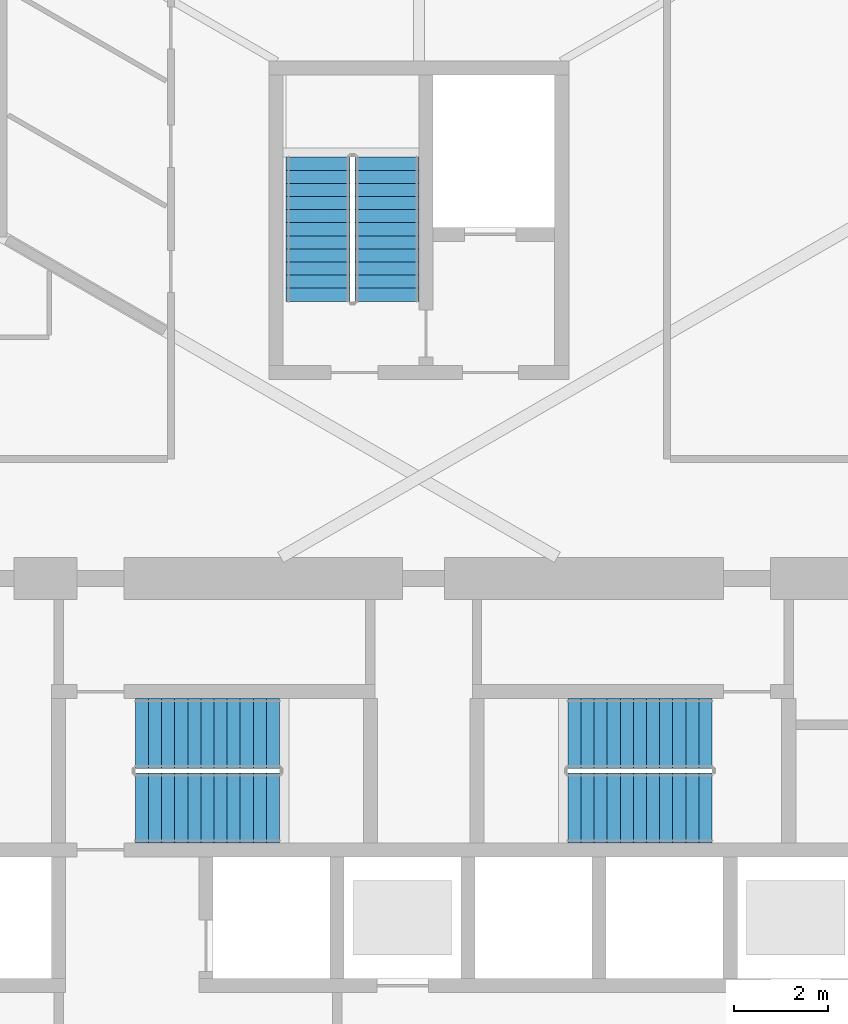
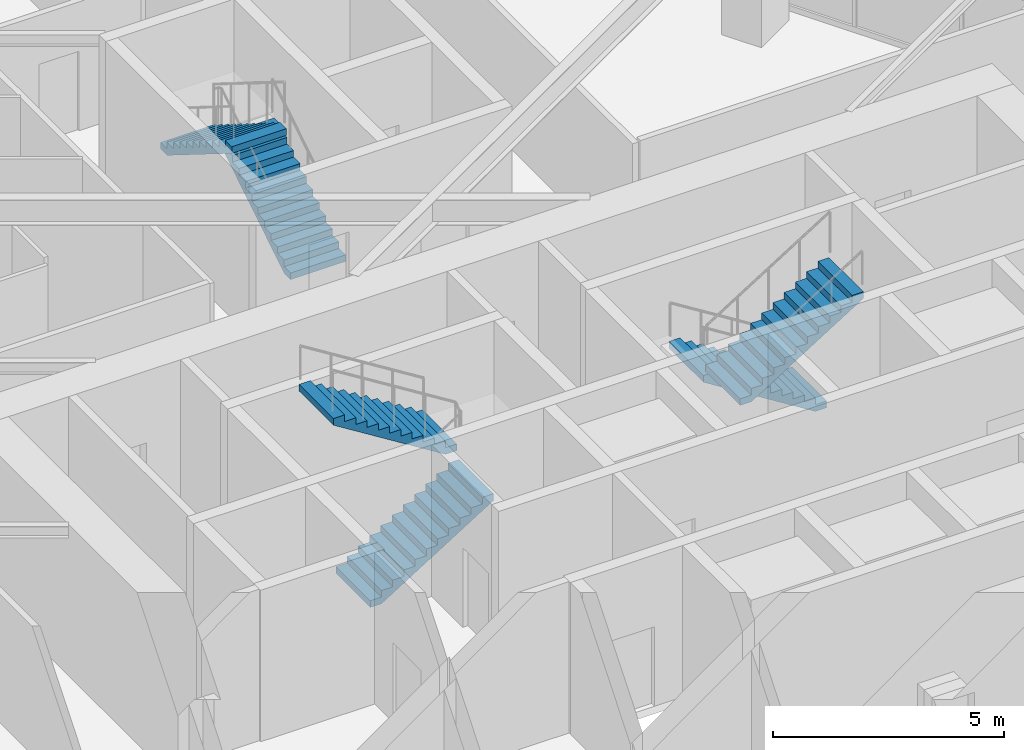
# One storey, part 20 of 22: 6 stair flights, 3 elements without a shape of their own.
"""IFC4 building model written with IfcOpenShell, lengths in metres."""

from ifc_helpers import new_model, si_unit, direction, frame, origin, place, context, subcontext, project, spatial, polyline, outline, extrude, material, type_object, element, aggregate, save


model = new_model("IFC4")

# Units and contexts
model_context = context("Model", 3, precision=1e-05, world=origin(), true_north=direction((0.0, 1.0)))
body_context = subcontext(model_context, "Body", "Model", "MODEL_VIEW")
ifc_project = project(units=[si_unit("LENGTHUNIT", "METRE"), si_unit("AREAUNIT", "SQUARE_METRE"), si_unit("VOLUMEUNIT", "CUBIC_METRE"), si_unit("PLANEANGLEUNIT", "RADIAN"), si_unit("MASSUNIT", "GRAM", prefix="KILO")], contexts=[model_context])

# Site, building, storey
site_placement = place(None, origin())
site = spatial("IfcSite", under=ifc_project, at=site_placement, CompositionType="ELEMENT")
building_placement = place(site_placement, origin())
building = spatial("IfcBuilding", under=site, at=building_placement, Name="Firuza Gate Tower and Library", CompositionType="ELEMENT")
storey_placement = place(building_placement, frame((0.0, 0.0, 128.199951171875)))
storey = spatial("IfcBuildingStorey", under=building, at=storey_placement, Name="L29", CompositionType="ELEMENT", Elevation=128.199951171875)

# Stair, stair flights
ifc_material_1 = material(Name="Concrete C35/45", Category="concrete")
stair_type_1 = type_object("IfcStairType", Name="Exit stair ST14", PredefinedType="HALF_TURN_STAIR", material=ifc_material_1)
placement = place(storey_placement, origin())
stair_1 = element("IfcStair", 1, at=placement, inside=storey, type_object=stair_type_1, Name="L29 Stair ST3", PredefinedType="HALF_TURN_STAIR")
ifc_material_2 = material(Name="Concrete C35/45", Category="concrete")
stair_flight_type_1 = type_object("IfcStairFlightType", Name="Stair flight 12 risers 175 width 1370", PredefinedType="STRAIGHT", material=ifc_material_2)
stair_flight_1_placement = place(storey_placement, frame((74.31494140625, 89.469970703125, 0.0), z_axis=(0.0, 0.0, 1.0), x_axis=(0.0, 1.0, 0.0)))
stair_flight_1 = element("IfcStairFlight", 2, at=stair_flight_1_placement, type_object=stair_flight_type_1, Name="ST3 flight 1", NumberOfRisers=12, NumberOfTreads=11, PredefinedType="STRAIGHT", RiserHeight=0.175, TreadLength=0.28, context=body_context, shape_type="SweptSolid", body=[
    extrude(outline(polyline([(0.0, 0.0), (0.0, 0.175048828125), (0.280029296875, 0.175048828125), (0.280029296875, 0.35009765625), (0.56005859375, 0.35009765625), (0.56005859375, 0.52490234375), (0.840087890625, 0.52490234375), (0.840087890625, 0.699951171875), (1.1201171875, 0.699951171875), (1.1201171875, 0.875), (1.39990234375, 0.875), (1.39990234375, 1.050048828125), (1.679931640625, 1.050048828125), (1.679931640625, 1.22509765625), (1.9599609375, 1.22509765625), (1.9599609375, 1.39990234375), (2.239990234375, 1.39990234375), (2.239990234375, 1.574951171875), (2.52001953125, 1.574951171875), (2.52001953125, 1.75), (2.800048828125, 1.75), (2.800048828125, 1.925048828125), (3.080078125, 1.925048828125), (3.080078125, 2.10009765625), (3.080078125, 1.748291015625), (0.28271484375, 0.0), (0.0, 0.0)])), frame((0.0, 0.68505859375, 0.0), z_axis=(0.0, -1.0, 0.0), x_axis=(1.0, 0.0, 0.0)), (0.0, 0.0, 1.0), 1.3701171875),
])
stair_flight_2_placement = place(storey_placement, frame((72.844970703125, 92.550048828125, 2.10009765625), z_axis=(0.0, 0.0, 1.0), x_axis=(0.0, -1.0, 0.0)))
stair_flight_2 = element("IfcStairFlight", 3, at=stair_flight_2_placement, type_object=stair_flight_type_1, Name="ST3 flight 2", NumberOfRisers=12, NumberOfTreads=11, PredefinedType="STRAIGHT", RiserHeight=0.175, TreadLength=0.28, context=body_context, shape_type="SweptSolid", body=[
    extrude(outline(polyline([(0.0, 0.0), (0.0, 0.175048828125), (0.280029296875, 0.175048828125), (0.280029296875, 0.35009765625), (0.56005859375, 0.35009765625), (0.56005859375, 0.52490234375), (0.840087890625, 0.52490234375), (0.840087890625, 0.699951171875), (1.1201171875, 0.699951171875), (1.1201171875, 0.875), (1.39990234375, 0.875), (1.39990234375, 1.050048828125), (1.679931640625, 1.050048828125), (1.679931640625, 1.22509765625), (1.9599609375, 1.22509765625), (1.9599609375, 1.39990234375), (2.239990234375, 1.39990234375), (2.239990234375, 1.574951171875), (2.52001953125, 1.574951171875), (2.52001953125, 1.75), (2.800048828125, 1.75), (2.800048828125, 1.925048828125), (3.080078125, 1.925048828125), (3.080078125, 2.10009765625), (3.080078125, 1.748291015625), (0.28271484375, 0.0), (0.0, 0.0)])), frame((0.0, 0.68505859375, 0.0), z_axis=(0.0, -1.0, 0.0), x_axis=(1.0, 0.0, 0.0)), (0.0, 0.0, 1.0), 1.3701171875),
])
aggregate(stair_1, [stair_flight_1, stair_flight_2])

ifc_material_3 = material(Name="Concrete C35/45", Category="concrete")
stair_type_2 = type_object("IfcStairType", Name="Exit stair ST5", PredefinedType="HALF_TURN_STAIR", material=ifc_material_3)
stair_2 = element("IfcStair", 4, at=placement, inside=storey, type_object=stair_type_2, Name="L29 Stair ST1", PredefinedType="HALF_TURN_STAIR")
ifc_material_4 = material(Name="Concrete C35/45", Category="concrete")
stair_flight_type_2 = type_object("IfcStairFlightType", Name="Stair flight 12 risers 175 width 1490", PredefinedType="STRAIGHT", material=ifc_material_4)
stair_flight_3_placement = place(storey_placement, frame((68.93994140625, 78.64501953125, 0.0), z_axis=(0.0, 0.0, 1.0), x_axis=(1.0, 0.0, 0.0)))
stair_flight_3 = element("IfcStairFlight", 5, at=stair_flight_3_placement, type_object=stair_flight_type_2, Name="ST1 flight 1", NumberOfRisers=12, NumberOfTreads=11, PredefinedType="STRAIGHT", RiserHeight=0.175, TreadLength=0.28, context=body_context, shape_type="SweptSolid", body=[
    extrude(outline(polyline([(0.0, 0.0), (0.0, 0.175048828125), (0.280029296875, 0.175048828125), (0.280029296875, 0.35009765625), (0.56005859375, 0.35009765625), (0.56005859375, 0.52490234375), (0.840087890625, 0.52490234375), (0.840087890625, 0.699951171875), (1.1201171875, 0.699951171875), (1.1201171875, 0.875), (1.39990234375, 0.875), (1.39990234375, 1.050048828125), (1.679931640625, 1.050048828125), (1.679931640625, 1.22509765625), (1.9599609375, 1.22509765625), (1.9599609375, 1.39990234375), (2.239990234375, 1.39990234375), (2.239990234375, 1.574951171875), (2.52001953125, 1.574951171875), (2.52001953125, 1.75), (2.800048828125, 1.75), (2.800048828125, 1.925048828125), (3.080078125, 1.925048828125), (3.080078125, 2.10009765625), (3.080078125, 1.748291015625), (0.28271484375, 0.0), (0.0, 0.0)])), frame((0.0, 0.7451171875, 0.0), z_axis=(0.0, -1.0, 0.0), x_axis=(1.0, 0.0, 0.0)), (0.0, 0.0, 1.0), 1.489990234375),
])
stair_flight_4_placement = place(storey_placement, frame((72.02001953125, 80.235107421875, 2.10009765625), z_axis=(0.0, 0.0, 1.0), x_axis=(-1.0, 0.0, 0.0)))
stair_flight_4 = element("IfcStairFlight", 6, at=stair_flight_4_placement, type_object=stair_flight_type_2, Name="ST1 flight 2", NumberOfRisers=12, NumberOfTreads=11, PredefinedType="STRAIGHT", RiserHeight=0.175, TreadLength=0.28, context=body_context, shape_type="SweptSolid", body=[
    extrude(outline(polyline([(0.0, 0.0), (0.0, 0.175048828125), (0.280029296875, 0.175048828125), (0.280029296875, 0.35009765625), (0.56005859375, 0.35009765625), (0.56005859375, 0.52490234375), (0.840087890625, 0.52490234375), (0.840087890625, 0.699951171875), (1.1201171875, 0.699951171875), (1.1201171875, 0.875), (1.39990234375, 0.875), (1.39990234375, 1.050048828125), (1.679931640625, 1.050048828125), (1.679931640625, 1.22509765625), (1.9599609375, 1.22509765625), (1.9599609375, 1.39990234375), (2.239990234375, 1.39990234375), (2.239990234375, 1.574951171875), (2.52001953125, 1.574951171875), (2.52001953125, 1.75), (2.800048828125, 1.75), (2.800048828125, 1.925048828125), (3.080078125, 1.925048828125), (3.080078125, 2.10009765625), (3.080078125, 1.748291015625), (0.28271484375, 0.0), (0.0, 0.0)])), frame((0.0, 0.7451171875, 0.0), z_axis=(0.0, -1.0, 0.0), x_axis=(1.0, 0.0, 0.0)), (0.0, 0.0, 1.0), 1.489990234375),
])
aggregate(stair_2, [stair_flight_3, stair_flight_4])

stair_3 = element("IfcStair", 7, at=placement, inside=storey, type_object=stair_type_2, Name="L29 Stair ST2", PredefinedType="HALF_TURN_STAIR")
stair_flight_5_placement = place(storey_placement, frame((81.260009765625, 80.235107421875, 0.0), z_axis=(0.0, 0.0, 1.0), x_axis=(-1.0, 0.0, 0.0)))
stair_flight_5 = element("IfcStairFlight", 8, at=stair_flight_5_placement, type_object=stair_flight_type_2, Name="ST2 flight 1", NumberOfRisers=12, NumberOfTreads=11, PredefinedType="STRAIGHT", RiserHeight=0.175, TreadLength=0.28, context=body_context, shape_type="SweptSolid", body=[
    extrude(outline(polyline([(0.0, 0.0), (0.0, 0.175048828125), (0.280029296875, 0.175048828125), (0.280029296875, 0.35009765625), (0.56005859375, 0.35009765625), (0.56005859375, 0.52490234375), (0.840087890625, 0.52490234375), (0.840087890625, 0.699951171875), (1.1201171875, 0.699951171875), (1.1201171875, 0.875), (1.39990234375, 0.875), (1.39990234375, 1.050048828125), (1.679931640625, 1.050048828125), (1.679931640625, 1.22509765625), (1.9599609375, 1.22509765625), (1.9599609375, 1.39990234375), (2.239990234375, 1.39990234375), (2.239990234375, 1.574951171875), (2.52001953125, 1.574951171875), (2.52001953125, 1.75), (2.800048828125, 1.75), (2.800048828125, 1.925048828125), (3.080078125, 1.925048828125), (3.080078125, 2.10009765625), (3.080078125, 1.748291015625), (0.28271484375, 0.0), (0.0, 0.0)])), frame((0.0, 0.7451171875, 0.0), z_axis=(0.0, -1.0, 0.0), x_axis=(1.0, 0.0, 0.0)), (0.0, 0.0, 1.0), 1.489990234375),
])
stair_flight_6_placement = place(storey_placement, frame((78.179931640625, 78.64501953125, 2.10009765625), z_axis=(0.0, 0.0, 1.0), x_axis=(1.0, 0.0, 0.0)))
stair_flight_6 = element("IfcStairFlight", 9, at=stair_flight_6_placement, type_object=stair_flight_type_2, Name="ST2 flight 2", NumberOfRisers=12, NumberOfTreads=11, PredefinedType="STRAIGHT", RiserHeight=0.175, TreadLength=0.28, context=body_context, shape_type="SweptSolid", body=[
    extrude(outline(polyline([(0.0, 0.0), (0.0, 0.175048828125), (0.280029296875, 0.175048828125), (0.280029296875, 0.35009765625), (0.56005859375, 0.35009765625), (0.56005859375, 0.52490234375), (0.840087890625, 0.52490234375), (0.840087890625, 0.699951171875), (1.1201171875, 0.699951171875), (1.1201171875, 0.875), (1.39990234375, 0.875), (1.39990234375, 1.050048828125), (1.679931640625, 1.050048828125), (1.679931640625, 1.22509765625), (1.9599609375, 1.22509765625), (1.9599609375, 1.39990234375), (2.239990234375, 1.39990234375), (2.239990234375, 1.574951171875), (2.52001953125, 1.574951171875), (2.52001953125, 1.75), (2.800048828125, 1.75), (2.800048828125, 1.925048828125), (3.080078125, 1.925048828125), (3.080078125, 2.10009765625), (3.080078125, 1.748291015625), (0.28271484375, 0.0), (0.0, 0.0)])), frame((0.0, 0.7451171875, 0.0), z_axis=(0.0, -1.0, 0.0), x_axis=(1.0, 0.0, 0.0)), (0.0, 0.0, 1.0), 1.489990234375),
])
aggregate(stair_3, [stair_flight_5, stair_flight_6])

save(model, "model.ifc")
